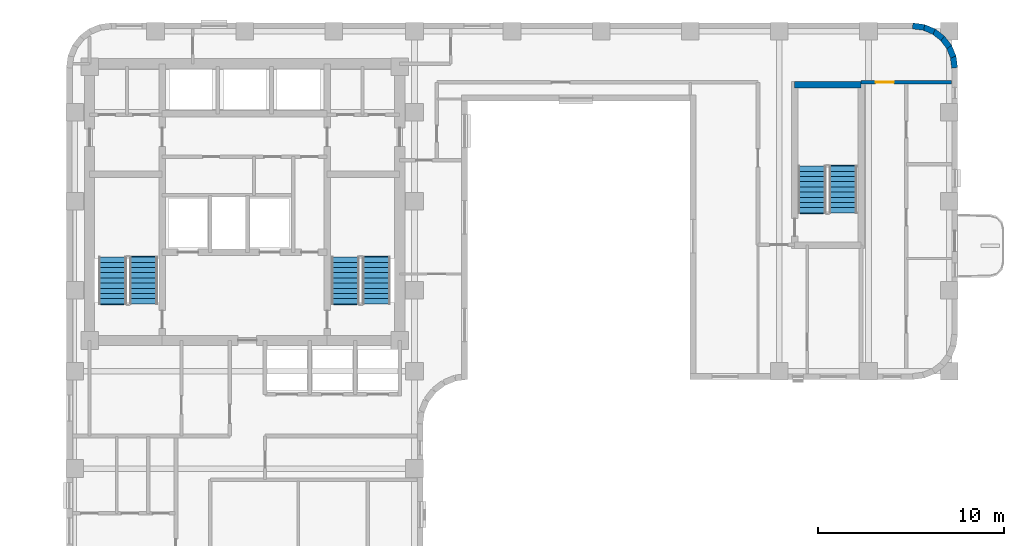
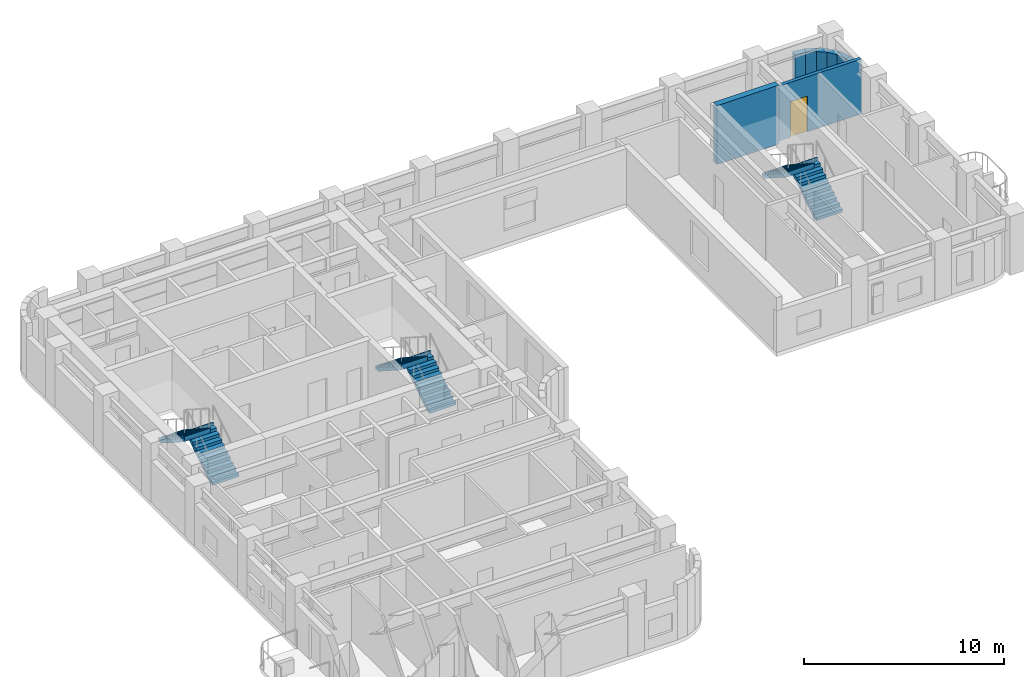
# One storey, part 7 of 10: 8 walls, 6 stair flights, 1 door, 1 opening, 3 elements without a shape of their own.
"""IFC4 building model written with IfcOpenShell, lengths in metres."""

from ifc_helpers import new_model, si_unit, direction, frame, frame_2d, origin, place, context, subcontext, project, spatial, polyline, rectangle, outline, extrude, material, layer, layer_set, type_object, element, fill, aggregate, save


model = new_model("IFC4")

# Units and contexts
model_context = context("Model", 3, precision=1e-05, world=origin(), true_north=direction((0.0, 1.0)))
body_context = subcontext(model_context, "Body", "Model", "MODEL_VIEW")
ifc_project = project(units=[si_unit("LENGTHUNIT", "METRE"), si_unit("AREAUNIT", "SQUARE_METRE"), si_unit("VOLUMEUNIT", "CUBIC_METRE"), si_unit("PLANEANGLEUNIT", "RADIAN"), si_unit("MASSUNIT", "GRAM", prefix="KILO")], contexts=[model_context])

# Site, building, storey
site_placement = place(None, origin())
site = spatial("IfcSite", under=ifc_project, at=site_placement, CompositionType="ELEMENT")
building_placement = place(site_placement, origin())
building = spatial("IfcBuilding", under=site, at=building_placement, Name="Orvandelia Arch Residences", CompositionType="ELEMENT")
storey_placement = place(building_placement, frame((0.0, 0.0, 182.800048828125)))
storey = spatial("IfcBuildingStorey", under=building, at=storey_placement, Name="L48", CompositionType="ELEMENT", Elevation=182.800048828125)

# Wall
ifc_material_1 = material(Name="Concrete C50/60", Category="concrete")
ifc_layer_1 = layer(ifc_material_1, 0.35009765625, Name="Concrete C50/60", Category="concrete")
ifc_layer_set_1 = layer_set([ifc_layer_1], Name="Concrete C50/60")
wall_type_1 = type_object("IfcWallType", Name="WL-CORE-350", PredefinedType="SHEAR", material=ifc_layer_set_1)
wall_1_placement = place(storey_placement, frame((44.02001953125, 44.659912109375, 0.0), z_axis=(0.0, 0.0, 1.0), x_axis=(1.0, 0.0, 0.0)))
element("IfcWall", 1, at=wall_1_placement, inside=storey, type_object=wall_type_1, Name="East Stair Core Shear Wall L48-N", PredefinedType="SHEAR", context=body_context, shape_type="SweptSolid", body=[
    extrude(rectangle(XDim=3.580078125, YDim=0.35009765625, at=frame_2d((1.7900390625, 0.0))), origin(), (0.0, 0.0, 1.0), 3.599853515625),
])

# Wall, opening, door
ifc_material_2 = material(Name="Fire-Rated Corridor Partition")
ifc_layer_2 = layer(ifc_material_2, 0.199951171875, Name="Fire-Rated Corridor Partition")
ifc_layer_set_2 = layer_set([ifc_layer_2], Name="Fire-Rated Corridor Partition")
wall_type_2 = type_object("IfcWallType", Name="WL-CORR-200", PredefinedType="PARTITIONING", material=ifc_layer_set_2)
wall_2_placement = place(storey_placement, frame((47.60009765625, 44.800048828125, 0.0), z_axis=(0.0, 0.0, 1.0), x_axis=(1.0, 0.0, 0.0)))
wall_2 = element("IfcWall", 2, at=wall_2_placement, inside=storey, type_object=wall_type_2, Name="Interior Partition Wall WL-L48-ENP-S2", PredefinedType="PARTITIONING", context=body_context, shape_type="SweptSolid", body=[
    extrude(rectangle(XDim=4.8798828125, YDim=0.199951171875, at=frame_2d((2.43994140625, 0.0))), origin(), (0.0, 0.0, 1.0), 3.35986328125),
])
opening_placement = place(wall_2_placement, frame((0.79150390625, 0.0, 0.0)))
opening = element("IfcOpeningElement", 3, at=opening_placement, cuts=wall_2, Name="Opening D1", PredefinedType="OPENING", context=body_context, shape_type="SweptSolid", body=[
    extrude(rectangle(XDim=0.97998046875, YDim=2.179931640625, at=frame_2d((0.489990234375, 1.08984375))), frame((0.0, 0.10986328125, 0.0), z_axis=(0.0, -1.0, 0.0), x_axis=(1.0, 0.0, 0.0)), (0.0, 0.0, 1.0), 0.219970703125),
])
ifc_material_3 = material(Name="Solid-Core Timber Acoustic Fire Door", Category="wood")
door_type = type_object("IfcDoorType", Name="DR-ENT-980", OperationType="NOTDEFINED", PredefinedType="DOOR", material=ifc_material_3)
door_placement = place(opening_placement, origin())
door = element("IfcDoor", 4, at=door_placement, inside=storey, type_object=door_type, Name="Unit L48-05 Entrance Door", OperationType="SINGLE_SWING_LEFT", OverallHeight=2.179931640625, OverallWidth=0.97998046875, PredefinedType="DOOR", context=body_context, shape_type="SweptSolid", body=[
    extrude(rectangle(XDim=0.97998046875, YDim=2.179931640625, at=frame_2d((0.489990234375, 1.08984375))), frame((0.0, 0.02490234375, 0.0), z_axis=(0.0, -1.0, 0.0), x_axis=(1.0, 0.0, 0.0)), (0.0, 0.0, 1.0), 0.050048828125),
])
fill(opening, door)

# Walls
ifc_material_4 = material(Name="Precast concrete C40/50", Category="concrete")
ifc_layer_3 = layer(ifc_material_4, 0.320068359375, Name="Precast concrete C40/50", Category="concrete")
ifc_layer_set_3 = layer_set([ifc_layer_3], Name="Precast concrete C40/50")
wall_type_3 = type_object("IfcWallType", Name="WL-EXT-STONE-320", PredefinedType="STANDARD", material=ifc_layer_set_3)
for number, where, z_axis, x_axis, name in (
    (5, (50.379150390625, 47.84130859375, 0.0), (0.0, 0.0, 1.0), (0.9914410257, -0.130555323746, 0.0), "Coral-Limestone Precast Facade Wall L48-008"),
    (6, (50.9599609375, 47.7705078125, 0.0), (0.0, 0.0, 1.0), (0.92389335771, -0.382650053678, 0.0), "Coral-Limestone Precast Facade Wall L48-009"),
    (7, (51.502685546875, 47.551513671875, 0.0), (0.0, 0.0, 1.0), (0.793405610854, -0.608693302629, 0.0), "Coral-Limestone Precast Facade Wall L48-010"),
    (8, (51.97021484375, 47.19970703125, 0.0), (0.0, 0.0, 1.0), (0.608693302629, -0.793405610854, 0.0), "Coral-Limestone Precast Facade Wall L48-011"),
    (9, (52.330810546875, 46.73876953125, 0.0), (0.0, 0.0, 1.0), (0.382317370307, -0.924031075431, 0.0), "Coral-Limestone Precast Facade Wall L48-012"),
    (10, (52.5595703125, 46.2001953125, 0.0), (0.0, 0.0, 1.0), (0.130555323746, -0.9914410257, 0.0), "Coral-Limestone Precast Facade Wall L48-013"),
):
    element("IfcWall", number, at=place(storey_placement, frame(where, z_axis=z_axis, x_axis=x_axis)), inside=storey, type_object=wall_type_3, Name=name, PredefinedType="STANDARD", context=body_context, shape_type="SweptSolid", body=[
        extrude(rectangle(XDim=0.62646484375, YDim=0.320068359375, at=frame_2d((0.313232421875, 0.0))), origin(), (0.0, 0.0, 1.0), 2.5400390625),
    ])

# Stair, stair flights
ifc_material_5 = material(Name="Concrete C40/50", Category="concrete")
stair_type = type_object("IfcStairType", Name="STAIR-RC-DOGLEG", PredefinedType="HALF_TURN_STAIR", material=ifc_material_5)
stair_1_placement = place(storey_placement, origin())
stair_1 = element("IfcStair", 11, at=stair_1_placement, inside=storey, type_object=stair_type, Name="L48 Protected Exit Stair ST-1", PredefinedType="HALF_TURN_STAIR")
stair_flight_type = type_object("IfcStairFlightType", Name="STFLT-RC-1520", PredefinedType="STRAIGHT", material=ifc_material_5)
stair_flight_1_placement = place(storey_placement, frame((8.9599609375, 32.8701171875, 0.0), z_axis=(0.0, 0.0, 1.0), x_axis=(0.0, 1.0, 0.0)))
stair_flight_1 = element("IfcStairFlight", 12, at=stair_flight_1_placement, type_object=stair_flight_type, Name="ST-1 flight 1", NumberOfRisers=10, NumberOfTreads=9, PredefinedType="STRAIGHT", RiserHeight=0.18, TreadLength=0.28, context=body_context, shape_type="SweptSolid", body=[
    extrude(outline(polyline([(0.0, 0.0), (0.0, 0.179931640625), (0.280029296875, 0.179931640625), (0.280029296875, 0.360107421875), (0.56005859375, 0.360107421875), (0.56005859375, 0.5400390625), (0.840087890625, 0.5400390625), (0.840087890625, 0.719970703125), (1.1201171875, 0.719970703125), (1.1201171875, 0.89990234375), (1.39990234375, 0.89990234375), (1.39990234375, 1.080078125), (1.679931640625, 1.080078125), (1.679931640625, 1.260009765625), (1.9599609375, 1.260009765625), (1.9599609375, 1.43994140625), (2.239990234375, 1.43994140625), (2.239990234375, 1.6201171875), (2.52001953125, 1.6201171875), (2.52001953125, 1.800048828125), (2.580078125, 1.800048828125), (2.580078125, 1.6201171875), (2.52001953125, 1.44189453125), (0.277099609375, 0.0), (0.0, 0.0)])), frame((0.0, 0.760009765625, 0.0), z_axis=(0.0, -1.0, 0.0), x_axis=(1.0, 0.0, 0.0)), (0.0, 0.0, 1.0), 1.52001953125),
])
stair_flight_2_placement = place(storey_placement, frame((7.2900390625, 35.389892578125, 1.800048828125), z_axis=(0.0, 0.0, 1.0), x_axis=(0.0, -1.0, 0.0)))
stair_flight_2 = element("IfcStairFlight", 13, at=stair_flight_2_placement, type_object=stair_flight_type, Name="ST-1 flight 2", NumberOfRisers=10, NumberOfTreads=9, PredefinedType="STRAIGHT", RiserHeight=0.18, TreadLength=0.28, context=body_context, shape_type="SweptSolid", body=[
    extrude(outline(polyline([(0.0, 0.0), (0.0, 0.179931640625), (0.280029296875, 0.179931640625), (0.280029296875, 0.360107421875), (0.56005859375, 0.360107421875), (0.56005859375, 0.5400390625), (0.840087890625, 0.5400390625), (0.840087890625, 0.719970703125), (1.1201171875, 0.719970703125), (1.1201171875, 0.89990234375), (1.39990234375, 0.89990234375), (1.39990234375, 1.080078125), (1.679931640625, 1.080078125), (1.679931640625, 1.260009765625), (1.9599609375, 1.260009765625), (1.9599609375, 1.43994140625), (2.239990234375, 1.43994140625), (2.239990234375, 1.6201171875), (2.52001953125, 1.6201171875), (2.52001953125, 1.800048828125), (2.580078125, 1.800048828125), (2.580078125, 1.6201171875), (2.52001953125, 1.44189453125), (0.277099609375, 0.0), (0.0, 0.0)])), frame((0.0, 0.760009765625, 0.0), z_axis=(0.0, -1.0, 0.0), x_axis=(1.0, 0.0, 0.0)), (0.0, 0.0, 1.0), 1.52001953125),
])
aggregate(stair_1, [stair_flight_1, stair_flight_2])

stair_2_placement = place(storey_placement, origin())
stair_2 = element("IfcStair", 14, at=stair_2_placement, inside=storey, type_object=stair_type, Name="L48 Protected Exit Stair ST-2", PredefinedType="HALF_TURN_STAIR")
stair_flight_3_placement = place(storey_placement, frame((21.489990234375, 32.8701171875, 0.0), z_axis=(0.0, 0.0, 1.0), x_axis=(0.0, 1.0, 0.0)))
stair_flight_3 = element("IfcStairFlight", 15, at=stair_flight_3_placement, type_object=stair_flight_type, Name="ST-2 flight 1", NumberOfRisers=10, NumberOfTreads=9, PredefinedType="STRAIGHT", RiserHeight=0.18, TreadLength=0.28, context=body_context, shape_type="SweptSolid", body=[
    extrude(outline(polyline([(0.0, 0.0), (0.0, 0.179931640625), (0.280029296875, 0.179931640625), (0.280029296875, 0.360107421875), (0.56005859375, 0.360107421875), (0.56005859375, 0.5400390625), (0.840087890625, 0.5400390625), (0.840087890625, 0.719970703125), (1.1201171875, 0.719970703125), (1.1201171875, 0.89990234375), (1.39990234375, 0.89990234375), (1.39990234375, 1.080078125), (1.679931640625, 1.080078125), (1.679931640625, 1.260009765625), (1.9599609375, 1.260009765625), (1.9599609375, 1.43994140625), (2.239990234375, 1.43994140625), (2.239990234375, 1.6201171875), (2.52001953125, 1.6201171875), (2.52001953125, 1.800048828125), (2.580078125, 1.800048828125), (2.580078125, 1.6201171875), (2.52001953125, 1.44189453125), (0.277099609375, 0.0), (0.0, 0.0)])), frame((0.0, 0.760009765625, 0.0), z_axis=(0.0, -1.0, 0.0), x_axis=(1.0, 0.0, 0.0)), (0.0, 0.0, 1.0), 1.52001953125),
])
stair_flight_4_placement = place(storey_placement, frame((19.820068359375, 35.389892578125, 1.800048828125), z_axis=(0.0, 0.0, 1.0), x_axis=(0.0, -1.0, 0.0)))
stair_flight_4 = element("IfcStairFlight", 16, at=stair_flight_4_placement, type_object=stair_flight_type, Name="ST-2 flight 2", NumberOfRisers=10, NumberOfTreads=9, PredefinedType="STRAIGHT", RiserHeight=0.18, TreadLength=0.28, context=body_context, shape_type="SweptSolid", body=[
    extrude(outline(polyline([(0.0, 0.0), (0.0, 0.179931640625), (0.280029296875, 0.179931640625), (0.280029296875, 0.360107421875), (0.56005859375, 0.360107421875), (0.56005859375, 0.5400390625), (0.840087890625, 0.5400390625), (0.840087890625, 0.719970703125), (1.1201171875, 0.719970703125), (1.1201171875, 0.89990234375), (1.39990234375, 0.89990234375), (1.39990234375, 1.080078125), (1.679931640625, 1.080078125), (1.679931640625, 1.260009765625), (1.9599609375, 1.260009765625), (1.9599609375, 1.43994140625), (2.239990234375, 1.43994140625), (2.239990234375, 1.6201171875), (2.52001953125, 1.6201171875), (2.52001953125, 1.800048828125), (2.580078125, 1.800048828125), (2.580078125, 1.6201171875), (2.52001953125, 1.44189453125), (0.277099609375, 0.0), (0.0, 0.0)])), frame((0.0, 0.760009765625, 0.0), z_axis=(0.0, -1.0, 0.0), x_axis=(1.0, 0.0, 0.0)), (0.0, 0.0, 1.0), 1.52001953125),
])
aggregate(stair_2, [stair_flight_3, stair_flight_4])

stair_3_placement = place(storey_placement, origin())
stair_3 = element("IfcStair", 17, at=stair_3_placement, inside=storey, type_object=stair_type, Name="L48 East Wing Exit Stair ST-3", PredefinedType="HALF_TURN_STAIR")
stair_flight_5_placement = place(storey_placement, frame((46.639892578125, 37.77001953125, 0.0), z_axis=(0.0, 0.0, 1.0), x_axis=(0.0, 1.0, 0.0)))
stair_flight_5 = element("IfcStairFlight", 18, at=stair_flight_5_placement, type_object=stair_flight_type, Name="ST-3 flight 1", NumberOfRisers=10, NumberOfTreads=9, PredefinedType="STRAIGHT", RiserHeight=0.18, TreadLength=0.28, context=body_context, shape_type="SweptSolid", body=[
    extrude(outline(polyline([(0.0, 0.0), (0.0, 0.179931640625), (0.280029296875, 0.179931640625), (0.280029296875, 0.360107421875), (0.56005859375, 0.360107421875), (0.56005859375, 0.5400390625), (0.840087890625, 0.5400390625), (0.840087890625, 0.719970703125), (1.1201171875, 0.719970703125), (1.1201171875, 0.89990234375), (1.39990234375, 0.89990234375), (1.39990234375, 1.080078125), (1.679931640625, 1.080078125), (1.679931640625, 1.260009765625), (1.9599609375, 1.260009765625), (1.9599609375, 1.43994140625), (2.239990234375, 1.43994140625), (2.239990234375, 1.6201171875), (2.52001953125, 1.6201171875), (2.52001953125, 1.800048828125), (2.580078125, 1.800048828125), (2.580078125, 1.6201171875), (2.52001953125, 1.44189453125), (0.277099609375, 0.0), (0.0, 0.0)])), frame((0.0, 0.760009765625, 0.0), z_axis=(0.0, -1.0, 0.0), x_axis=(1.0, 0.0, 0.0)), (0.0, 0.0, 1.0), 1.52001953125),
])
stair_flight_6_placement = place(storey_placement, frame((44.969970703125, 40.2900390625, 1.800048828125), z_axis=(0.0, 0.0, 1.0), x_axis=(0.0, -1.0, 0.0)))
stair_flight_6 = element("IfcStairFlight", 19, at=stair_flight_6_placement, type_object=stair_flight_type, Name="ST-3 flight 2", NumberOfRisers=10, NumberOfTreads=9, PredefinedType="STRAIGHT", RiserHeight=0.18, TreadLength=0.28, context=body_context, shape_type="SweptSolid", body=[
    extrude(outline(polyline([(0.0, 0.0), (0.0, 0.179931640625), (0.280029296875, 0.179931640625), (0.280029296875, 0.360107421875), (0.56005859375, 0.360107421875), (0.56005859375, 0.5400390625), (0.840087890625, 0.5400390625), (0.840087890625, 0.719970703125), (1.1201171875, 0.719970703125), (1.1201171875, 0.89990234375), (1.39990234375, 0.89990234375), (1.39990234375, 1.080078125), (1.679931640625, 1.080078125), (1.679931640625, 1.260009765625), (1.9599609375, 1.260009765625), (1.9599609375, 1.43994140625), (2.239990234375, 1.43994140625), (2.239990234375, 1.6201171875), (2.52001953125, 1.6201171875), (2.52001953125, 1.800048828125), (2.580078125, 1.800048828125), (2.580078125, 1.6201171875), (2.52001953125, 1.44189453125), (0.277099609375, 0.0), (0.0, 0.0)])), frame((0.0, 0.760009765625, 0.0), z_axis=(0.0, -1.0, 0.0), x_axis=(1.0, 0.0, 0.0)), (0.0, 0.0, 1.0), 1.52001953125),
])
aggregate(stair_3, [stair_flight_5, stair_flight_6])

save(model, "model.ifc")
